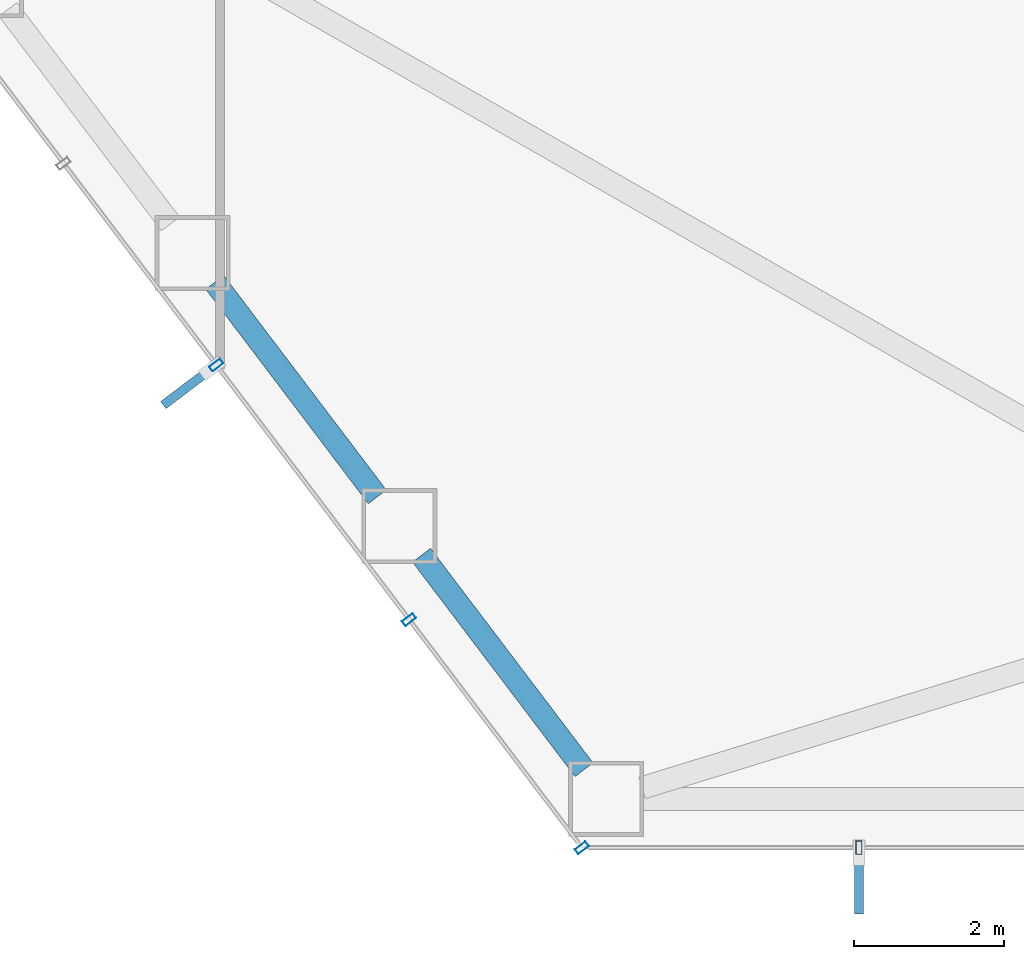
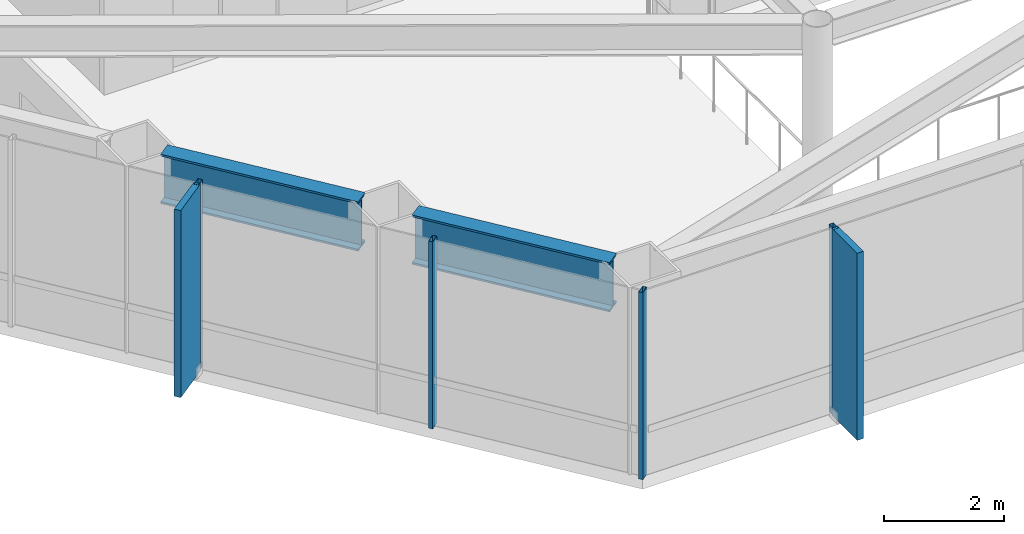
# One storey, part 2 of 25: 6 members, 2 beams, 2 elements without a shape of their own.
"""IFC4 building model written with IfcOpenShell, lengths in metres."""

from ifc_helpers import new_model, si_unit, direction, frame, origin, origin_2d, place, context, subcontext, project, spatial, rectangle, hollow_rectangle, i_section, extrude, material, layer, layer_set, material_profile, profile_set, type_object, element, aggregate, save


model = new_model("IFC4")

# Units and contexts
model_context = context("Model", 3, precision=1e-05, world=origin(), true_north=direction((0.0, 1.0)))
body_context = subcontext(model_context, "Body", "Model", "MODEL_VIEW")
ifc_project = project(units=[si_unit("LENGTHUNIT", "METRE"), si_unit("AREAUNIT", "SQUARE_METRE"), si_unit("VOLUMEUNIT", "CUBIC_METRE"), si_unit("PLANEANGLEUNIT", "RADIAN"), si_unit("MASSUNIT", "GRAM", prefix="KILO")], contexts=[model_context])

# Site, building, storey
site_placement = place(None, origin())
site = spatial("IfcSite", under=ifc_project, at=site_placement, CompositionType="ELEMENT")
building_placement = place(site_placement, origin())
building = spatial("IfcBuilding", under=site, at=building_placement, Name="Zarrinselat Tower", CompositionType="ELEMENT")
storey_placement = place(building_placement, frame((0.0, 0.0, 39.780029296875)))
storey = spatial("IfcBuildingStorey", under=building, at=storey_placement, Name="L09", CompositionType="ELEMENT", Elevation=39.780029296875)

# Beams
ifc_material_1 = material(Name="Steel S460M", Category="steel")
ifc_material_profile_1 = material_profile(ifc_material_1, i_section(OverallWidth=0.302001953125, OverallDepth=1.008056640625, WebThickness=0.02099609375, FlangeThickness=0.0400390625, at=origin_2d()), Name="HEM 1000")
ifc_profile_set_1 = profile_set([ifc_material_profile_1], Name="Steel S460M")
beam_type = type_object("IfcBeamType", Name="BM-HEM1000", PredefinedType="BEAM", material=ifc_profile_set_1)
for number, where, z_axis, x_axis, name in (
    (1, (22.4326171875, 26.557861328125, 3.31591796875), (0.603848514001, -0.797099098067, 0.0), (0.797099098067, 0.603848514001, 0.0), "L09 Perimeter Spandrel Girder SP08"),
    (2, (25.187744140625, 22.9208984375, 3.31591796875), (0.603891760732, -0.797066334329, 0.0), (0.797066334329, 0.603891760732, 0.0), "L09 Perimeter Spandrel Girder SP09"),
):
    element("IfcBeam", number, at=place(storey_placement, frame(where, z_axis=z_axis, x_axis=x_axis)), inside=storey, type_object=beam_type, Name=name, PredefinedType="BEAM", context=body_context, shape_type="SweptSolid", body=[
        extrude(i_section(OverallWidth=0.302001953125, OverallDepth=1.008056640625, WebThickness=0.02099609375, FlangeThickness=0.0400390625, at=origin_2d()), origin(), (0.0, 0.0, 1.0), 3.586669921875),
    ])

# Curtain wall, members
ifc_material_2 = material(Name="Extruded Aluminium Alloy EN AW-6063 T6", Category="aluminium")
ifc_layer = layer(ifc_material_2, 0.18505859375)
ifc_layer_set = layer_set([ifc_layer], Name="Extruded Aluminium Alloy EN AW-6063 T6")
curtain_wall_type = type_object("IfcCurtainWallType", Name="CWS-OFF", PredefinedType="NOTDEFINED", material=ifc_layer_set)
curtain_wall_1_placement = place(storey_placement, origin())
curtain_wall_1 = element("IfcCurtainWall", 3, at=curtain_wall_1_placement, inside=storey, type_object=curtain_wall_type, Name="L09 Unitised Curtain Wall CW-L09-E03", PredefinedType="NOTDEFINED")
ifc_material_3 = material(Name="Extruded Aluminium Alloy EN AW-6063 T6", Category="aluminium")
ifc_material_profile_2 = material_profile(ifc_material_3, hollow_rectangle(XDim=0.080078125, YDim=0.179931640625, WallThickness=0.0048828125, at=origin_2d()), Name="RHS 180x80x5")
ifc_profile_set_2 = profile_set([ifc_material_profile_2], Name="Extruded Aluminium Alloy EN AW-6063 T6")
member_type_1 = type_object("IfcMemberType", Name="MEM-CW-MUL", PredefinedType="MULLION", material=ifc_profile_set_2)
member_1_placement = place(storey_placement, frame((22.4521484375, 25.45556640625, 0.0), z_axis=(0.0, 0.0, 1.0), x_axis=(0.603857284091, -0.797092454142, 0.0)))
member_1 = element("IfcMember", 4, at=member_1_placement, type_object=member_type_1, Name="CW-L09-E03 Mullion 3", PredefinedType="MULLION", context=body_context, shape_type="SweptSolid", body=[
    extrude(hollow_rectangle(XDim=0.080078125, YDim=0.179931640625, WallThickness=0.0048828125, at=origin_2d()), origin(), (0.0, 0.0, 1.0), 3.820068359375),
])
member_2_placement = place(storey_placement, frame((25.022705078125, 22.0625, 0.0), z_axis=(0.0, 0.0, 1.0), x_axis=(0.603857284091, -0.797092454142, 0.0)))
member_2 = element("IfcMember", 5, at=member_2_placement, type_object=member_type_1, Name="CW-L09-E03 Mullion 4", PredefinedType="MULLION", context=body_context, shape_type="SweptSolid", body=[
    extrude(hollow_rectangle(XDim=0.080078125, YDim=0.179931640625, WallThickness=0.0048828125, at=origin_2d()), origin(), (0.0, 0.0, 1.0), 3.820068359375),
])
member_3_placement = place(storey_placement, frame((27.325439453125, 19.02294921875, 0.0), z_axis=(0.0, 0.0, 1.0), x_axis=(0.603857284091, -0.797092454142, 0.0)))
member_3 = element("IfcMember", 6, at=member_3_placement, type_object=member_type_1, Name="CW-L09-E03 Mullion 5", PredefinedType="MULLION", context=body_context, shape_type="SweptSolid", body=[
    extrude(hollow_rectangle(XDim=0.080078125, YDim=0.179931640625, WallThickness=0.0048828125, at=origin_2d()), origin(), (0.0, 0.0, 1.0), 3.820068359375),
])

# Curtain wall, member
curtain_wall_2_placement = place(storey_placement, origin())
curtain_wall_2 = element("IfcCurtainWall", 7, at=curtain_wall_2_placement, inside=storey, type_object=curtain_wall_type, Name="L09 Unitised Curtain Wall CW-L09-E04", PredefinedType="NOTDEFINED")
member_4_placement = place(storey_placement, frame((31.016845703125, 19.02294921875, 0.0), z_axis=(0.0, 0.0, 1.0), x_axis=(1.0, 0.0, 0.0)))
member_4 = element("IfcMember", 8, at=member_4_placement, type_object=member_type_1, Name="CW-L09-E04 Mullion 1", PredefinedType="MULLION", context=body_context, shape_type="SweptSolid", body=[
    extrude(hollow_rectangle(XDim=0.080078125, YDim=0.179931640625, WallThickness=0.0048828125, at=origin_2d()), origin(), (0.0, 0.0, 1.0), 3.820068359375),
])

# Member
ifc_material_4 = material(Name="Honed Cream Travertine Stone", Category="masonry")
ifc_material_profile_3 = material_profile(ifc_material_4, rectangle(XDim=0.1201171875, YDim=0.85009765625, at=origin_2d()), Name="FIN 850x120")
ifc_profile_set_3 = profile_set([ifc_material_profile_3], Name="Honed Cream Travertine Stone")
member_type_2 = type_object("IfcMemberType", Name="MEM-STONE-FIN", PredefinedType="USERDEFINED", material=ifc_profile_set_3)
member_5_placement = place(storey_placement, frame((22.08544921875, 25.177734375, 0.0), z_axis=(0.0, 0.0, 1.0), x_axis=(-0.603857284091, 0.797092454142, 0.0)))
member_5 = element("IfcMember", 9, at=member_5_placement, type_object=member_type_2, Name="L09 Stone Shading Fin CW-L09-E03-03", ObjectType="FIN", PredefinedType="USERDEFINED", context=body_context, shape_type="SweptSolid", body=[
    extrude(rectangle(XDim=0.1201171875, YDim=0.85009765625, at=origin_2d()), origin(), (0.0, 0.0, 1.0), 3.820068359375),
])

aggregate(curtain_wall_1, [member_1, member_5, member_2, member_3])

member_6_placement = place(storey_placement, frame((31.016845703125, 18.56298828125, 0.0), z_axis=(0.0, 0.0, 1.0), x_axis=(-1.0, 0.0, 0.0)))
member_6 = element("IfcMember", 10, at=member_6_placement, type_object=member_type_2, Name="L09 Stone Shading Fin CW-L09-E04-01", ObjectType="FIN", PredefinedType="USERDEFINED", context=body_context, shape_type="SweptSolid", body=[
    extrude(rectangle(XDim=0.1201171875, YDim=0.85009765625, at=origin_2d()), origin(), (0.0, 0.0, 1.0), 3.820068359375),
])

aggregate(curtain_wall_2, [member_4, member_6])

save(model, "model.ifc")
